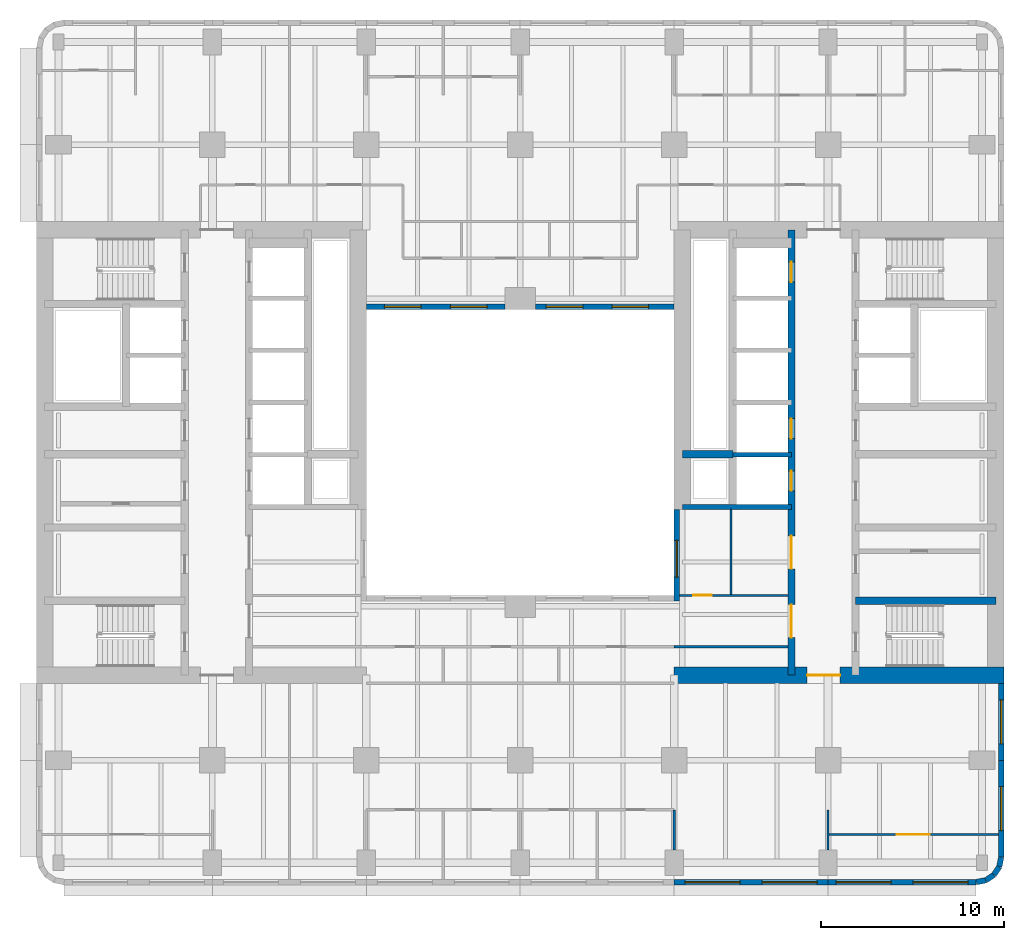
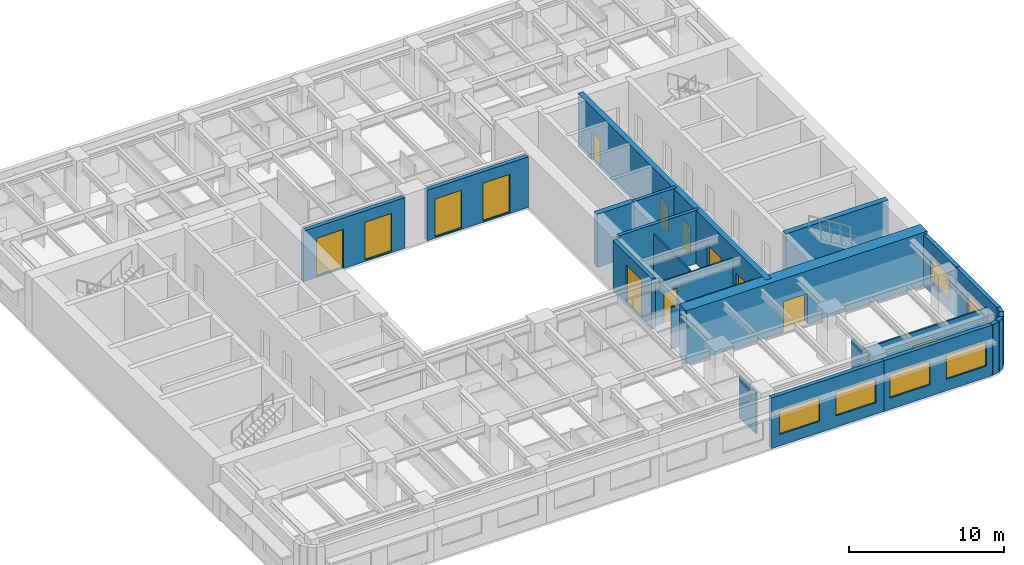
# One storey, part 5 of 11: 23 walls, 11 windows, 8 doors, 19 openings.
"""IFC4 building model written with IfcOpenShell, lengths in metres."""

import ifcopenshell
import ifcopenshell.guid

model = None  # the IFC model being written
_history = None  # IfcOwnerHistory: only IFC2X3 demands one
_inside = {}  # id of a spatial element -> (the spatial element, [elements in it])
_under = {}  # id of a project, library or spatial element -> (it, [spatial elements below it])
_declared = {}  # id of a project -> (the project, [libraries it declares])
_typed = {}  # id of a type object -> (the type object, [elements of that type])
_made_of = {}  # id of a material, layer set ... -> (it, [elements and type objects made of it])


def new_model(schema):
    """Start an empty IFC model of exactly this schema.

    Asked for "IFC4X3", IfcOpenShell would pick the latest addendum, in which some entities
    have other attributes; the version numbers below select the first issue.
    IFC2X3 requires an IfcOwnerHistory on every rooted entity: one is made here for all.
    """
    global model, _history
    if schema == "IFC4X3":
        model = ifcopenshell.file(schema_version=(4, 3, 0, 0))
    else:
        model = ifcopenshell.file(schema=schema)
    _inside.clear()
    _under.clear()
    _declared.clear()
    _typed.clear()
    _made_of.clear()
    _history = None
    if model.schema == "IFC2X3":
        org = make("IfcOrganization", Name="unknown")
        user = make(
            "IfcPersonAndOrganization",
            ThePerson=make("IfcPerson", FamilyName="unknown"),
            TheOrganization=org,
        )
        app = make(
            "IfcApplication",
            ApplicationDeveloper=org,
            Version="unknown",
            ApplicationFullName="unknown",
            ApplicationIdentifier="unknown",
        )
        _history = make(
            "IfcOwnerHistory",
            OwningUser=user,
            OwningApplication=app,
            ChangeAction="ADDED",
            CreationDate=0,
        )
    return model


def make(cls, **values):
    """One entity of the class cls with the attributes given. An attribute that is None is left unset."""
    return model.create_entity(
        cls, **{name: value for name, value in values.items() if value is not None}
    )


def rooted(cls, **values):
    """An entity with a GlobalId (a new one), such as an element, a storey or a relation."""
    return make(cls, GlobalId=ifcopenshell.guid.new(), OwnerHistory=_history, **values)


def si_unit(unit_type, name, prefix=None):
    """IfcSIUnit, for example si_unit("LENGTHUNIT", "METRE", prefix="MILLI")."""
    return make("IfcSIUnit", UnitType=unit_type, Prefix=prefix, Name=name)


def assignment(units):
    """IfcUnitAssignment: the units of a project."""
    return None if units is None else make("IfcUnitAssignment", Units=units)


def point(xyz):
    """IfcCartesianPoint."""
    return None if xyz is None else make("IfcCartesianPoint", Coordinates=xyz)


def direction(xyz):
    """IfcDirection."""
    return None if xyz is None else make("IfcDirection", DirectionRatios=xyz)


def frame(location, z_axis=None, x_axis=None):
    """IfcAxis2Placement3D, a coordinate frame: its origin and axes. An axis left out is left unset."""
    return make(
        "IfcAxis2Placement3D",
        Location=point(location),
        Axis=direction(z_axis),
        RefDirection=direction(x_axis),
    )


def frame_2d(location, x_axis=None):
    """IfcAxis2Placement2D, a coordinate frame in the plane: its origin and x axis."""
    return make(
        "IfcAxis2Placement2D", Location=point(location), RefDirection=direction(x_axis)
    )


def origin():
    """The frame at (0, 0, 0) with its axes left unset."""
    return frame((0.0, 0.0, 0.0))


def place(relative_to, where):
    """IfcLocalPlacement: puts the frame where relative to a parent placement (None: the world)."""
    return make(
        "IfcLocalPlacement", PlacementRelTo=relative_to, RelativePlacement=where
    )


def context(
    kind, dimensions, precision=None, world=None, true_north=None, identifier=None
):
    """IfcGeometricRepresentationContext, for example the 3D "Model" context."""
    return make(
        "IfcGeometricRepresentationContext",
        ContextIdentifier=identifier,
        ContextType=kind,
        CoordinateSpaceDimension=dimensions,
        Precision=precision,
        WorldCoordinateSystem=world,
        TrueNorth=true_north,
    )


def subcontext(parent, identifier, kind, view, scale=None):
    """IfcGeometricRepresentationSubContext, for example "Body" below "Model"."""
    return make(
        "IfcGeometricRepresentationSubContext",
        ContextIdentifier=identifier,
        ContextType=kind,
        ParentContext=parent,
        TargetScale=scale,
        TargetView=view,
    )


def project(units=None, contexts=None):
    """IfcProject with its units and contexts."""
    return rooted(
        "IfcProject",
        Name="project",
        RepresentationContexts=contexts,
        UnitsInContext=assignment(units),
    )


def spatial(cls, under=None, at=None, **own):
    """A site, building, storey or space (cls), placed at a placement, below another one or the project."""
    s = rooted(cls, ObjectPlacement=at, **own)
    if under is not None:
        _under.setdefault(under.id(), (under, []))[1].append(s)
    return s


def profile(cls, at=None, kind="AREA", **sizes):
    """A parametric profile (cls). Its sizes go by their IFC names, for example OverallWidth=200.0."""
    return make(cls, ProfileType=kind, Position=at, **sizes)


def rectangle(**sizes):
    """IfcRectangleProfileDef."""
    return profile("IfcRectangleProfileDef", **sizes)


def extrude(swept, where, along, depth):
    """IfcExtrudedAreaSolid: the profile swept, set in the frame where, extruded along a direction by depth."""
    return make(
        "IfcExtrudedAreaSolid",
        SweptArea=swept,
        Position=where,
        ExtrudedDirection=direction(along),
        Depth=depth,
    )


def shape(context_of_items, identifier, shape_type, items):
    """IfcShapeRepresentation: the items that make up one representation, for example the "Body"."""
    return make(
        "IfcShapeRepresentation",
        ContextOfItems=context_of_items,
        RepresentationIdentifier=identifier,
        RepresentationType=shape_type,
        Items=items,
    )


def material(Name=None, Category=None):
    """IfcMaterial."""
    return make("IfcMaterial", Name=Name, Category=Category)


def layer(
    of_material, thickness, ventilated=None, Name=None, Category=None, Priority=None
):
    """IfcMaterialLayer: one layer of a wall or slab, of a material (None: an air gap)."""
    return make(
        "IfcMaterialLayer",
        Material=of_material,
        LayerThickness=thickness,
        IsVentilated=ventilated,
        Name=Name,
        Category=Category,
        Priority=Priority,
    )


def layer_set(layers, Name=None):
    """IfcMaterialLayerSet."""
    return make("IfcMaterialLayerSet", MaterialLayers=layers, LayerSetName=Name)


def made_of(thing, what):
    """Note that an element or type object is made of a material, layer set ...; save() writes the relation."""
    if what is not None:
        _made_of.setdefault(what.id(), (what, []))[1].append(thing)
    return thing


def type_object(cls, material=None, **own):
    """A type object (cls), such as IfcWallType, which elements share."""
    return made_of(rooted(cls, **own), material)


def element(
    cls,
    number,
    at=None,
    inside=None,
    cuts=None,
    type_object=None,
    material=None,
    context=None,
    identifier="Body",
    shape_type=None,
    held_by="IfcProductDefinitionShape",
    body=None,
    shapes=None,
    **own,
):
    """One element of the class cls, such as IfcWall. Its Tag is "e" and its number.

    at: its placement. inside: the storey or other place that contains it. cuts: it is an
    opening in that element (IfcRelVoidsElement). A single representation is given by context,
    identifier, shape_type and body (its items); several are given by shapes. held_by: the class
    of the entity that holds the representations. save() writes the other relations.
    """
    e = rooted(cls, Tag="e%d" % number, ObjectPlacement=at, **own)
    if body is not None:
        shapes = [shape(context, identifier, shape_type, body)]
    if shapes is not None:
        e.Representation = make(held_by, Representations=shapes)
    if inside is not None:
        _inside.setdefault(inside.id(), (inside, []))[1].append(e)
    if cuts is not None:
        rooted(
            "IfcRelVoidsElement", RelatingBuildingElement=cuts, RelatedOpeningElement=e
        )
    if type_object is not None:
        _typed.setdefault(type_object.id(), (type_object, []))[1].append(e)
    return made_of(e, material)


def fill(opening, filler):
    """IfcRelFillsElement: the door or window that sits in an opening."""
    return rooted(
        "IfcRelFillsElement",
        RelatingOpeningElement=opening,
        RelatedBuildingElement=filler,
    )


def aggregate(whole, parts):
    """IfcRelAggregates: a whole, such as a stair, and the parts it consists of."""
    return rooted("IfcRelAggregates", RelatingObject=whole, RelatedObjects=parts)


def save(model, path):
    """Write the relations noted so far, then the file.

    IfcRelAggregates (storeys below a building ...), IfcRelContainedInSpatialStructure (elements
    in a storey), IfcRelDefinesByType, IfcRelAssociatesMaterial and IfcRelDeclares: one each for
    every whole, place, type object, material and project.
    """
    for whole, parts in _under.values():
        aggregate(whole, parts)
    for where, things in _inside.values():
        rooted(
            "IfcRelContainedInSpatialStructure",
            RelatedElements=things,
            RelatingStructure=where,
        )
    for kind, things in _typed.values():
        rooted("IfcRelDefinesByType", RelatedObjects=things, RelatingType=kind)
    for what, things in _made_of.values():
        rooted("IfcRelAssociatesMaterial", RelatedObjects=things, RelatingMaterial=what)
    for by, libraries in _declared.values():
        rooted("IfcRelDeclares", RelatingContext=by, RelatedDefinitions=libraries)
    model.write(path)


model = new_model("IFC4")

# Units and contexts
model_context = context("Model", 3, precision=1e-05, world=origin(), true_north=direction((0.0, 1.0)))
body_context = subcontext(model_context, "Body", "Model", "MODEL_VIEW")
ifc_project = project(units=[si_unit("LENGTHUNIT", "METRE"), si_unit("AREAUNIT", "SQUARE_METRE"), si_unit("VOLUMEUNIT", "CUBIC_METRE"), si_unit("PLANEANGLEUNIT", "RADIAN"), si_unit("MASSUNIT", "GRAM", prefix="KILO")], contexts=[model_context])

# Site, building, storey
site_placement = place(None, origin())
site = spatial("IfcSite", under=ifc_project, at=site_placement, CompositionType="ELEMENT")
building_placement = place(site_placement, origin())
building = spatial("IfcBuilding", under=site, at=building_placement, Name="Claustro Exchange Tower", CompositionType="ELEMENT")
storey_placement = place(building_placement, frame((0.0, 0.0, 163.800048828125)))
storey = spatial("IfcBuildingStorey", under=building, at=storey_placement, Name="L37", CompositionType="ELEMENT", Elevation=163.800048828125)

# Wall, opening, door
ifc_material_1 = material(Name="Laminated glass in aluminium frame", Category="aluminium")
ifc_layer_1 = layer(ifc_material_1, 0.1201171875)
ifc_layer_set_1 = layer_set([ifc_layer_1], Name="Laminated glass in aluminium frame")
wall_type_1 = type_object("IfcWallType", Name="P2 120 glazed partition", PredefinedType="PARTITIONING", material=ifc_layer_set_1)
wall_1_placement = place(storey_placement, frame((33.89794921875, 17.39990234375, 0.0), z_axis=(0.0, 0.0, 1.0), x_axis=(1.0, 0.0, 0.0)))
wall_1 = element("IfcWall", 1, at=wall_1_placement, inside=storey, type_object=wall_type_1, Name="Partition P2 L37", PredefinedType="PARTITIONING", context=body_context, shape_type="SweptSolid", body=[
    extrude(rectangle(XDim=5.904052734375, YDim=0.1201171875, at=frame_2d((2.9521484375, 0.0))), origin(), (0.0, 0.0, 1.0), 3.300048828125),
])
opening_1_placement = place(wall_1_placement, frame((0.751953125, 0.0, 0.0)))
opening_1 = element("IfcOpeningElement", 2, at=opening_1_placement, cuts=wall_1, Name="Opening D7", PredefinedType="OPENING", context=body_context, shape_type="SweptSolid", body=[
    extrude(rectangle(XDim=1.0, YDim=2.39990234375, at=frame_2d((0.5, 1.199951171875))), frame((0.0, 0.070068359375, 0.0), z_axis=(0.0, -1.0, 0.0), x_axis=(1.0, 0.0, 0.0)), (0.0, 0.0, 1.0), 0.14013671875),
])
ifc_material_2 = material(Name="Glass door in aluminium frame", Category="aluminium")
door_type_1 = type_object("IfcDoorType", Name="D7 1000 x 2400 glazed door", OperationType="SINGLE_SWING_LEFT", PredefinedType="DOOR", material=ifc_material_2)
door_1_placement = place(opening_1_placement, origin())
door_1 = element("IfcDoor", 3, at=door_1_placement, inside=storey, type_object=door_type_1, Name="Door D7 L37", OperationType="SINGLE_SWING_RIGHT", OverallHeight=2.39990234375, OverallWidth=1.0, PredefinedType="DOOR", context=body_context, shape_type="SweptSolid", body=[
    extrude(rectangle(XDim=1.0, YDim=2.39990234375, at=frame_2d((0.5, 1.199951171875))), frame((0.0, 0.02490234375, 0.0), z_axis=(0.0, -1.0, 0.0), x_axis=(1.0, 0.0, 0.0)), (0.0, 0.0, 1.0), 0.050048828125),
])
fill(opening_1, door_1)

# Walls
wall_2_placement = place(storey_placement, frame((36.699951171875, 17.4580078125, 0.0), z_axis=(0.0, 0.0, 1.0), x_axis=(0.0, 1.0, 0.0)))
element("IfcWall", 4, at=wall_2_placement, inside=storey, type_object=wall_type_1, Name="Partition P2 L37", PredefinedType="PARTITIONING", context=body_context, shape_type="SweptSolid", body=[
    extrude(rectangle(XDim=4.64404296875, YDim=0.1201171875, at=frame_2d((2.322021484375, 0.0))), origin(), (0.0, 0.0, 1.0), 3.39990234375),
])
wall_3_placement = place(storey_placement, frame((33.60009765625, 3.4990234375, 0.0), z_axis=(0.0, 0.0, 1.0), x_axis=(0.0, 1.0, 0.0)))
element("IfcWall", 5, at=wall_3_placement, inside=storey, type_object=wall_type_1, Name="Partition P2 L37", PredefinedType="PARTITIONING", context=body_context, shape_type="SweptSolid", body=[
    extrude(rectangle(XDim=2.200927734375, YDim=0.1201171875, at=frame_2d((1.1005859375, 0.0))), origin(), (0.0, 0.0, 1.0), 3.300048828125),
])

# Wall, opening, door
wall_4_placement = place(storey_placement, frame((42.05810546875, 4.35009765625, 0.0), z_axis=(0.0, 0.0, 1.0), x_axis=(1.0, 0.0, 0.0)))
wall_4 = element("IfcWall", 6, at=wall_4_placement, inside=storey, type_object=wall_type_1, Name="Partition P2 L37", PredefinedType="PARTITIONING", context=body_context, shape_type="SweptSolid", body=[
    extrude(rectangle(XDim=9.243896484375, YDim=0.1201171875, at=frame_2d((4.6220703125, 0.0))), origin(), (0.0, 0.0, 1.0), 3.300048828125),
])
opening_2_placement = place(wall_4_placement, frame((3.69189453125, 0.0, 0.0)))
opening_2 = element("IfcOpeningElement", 7, at=opening_2_placement, cuts=wall_4, Name="Opening D2", PredefinedType="OPENING", context=body_context, shape_type="SweptSolid", body=[
    extrude(rectangle(XDim=1.800048828125, YDim=2.199951171875, at=frame_2d((0.89990234375, 1.10009765625))), frame((0.0, 0.070068359375, 0.0), z_axis=(0.0, -1.0, 0.0), x_axis=(1.0, 0.0, 0.0)), (0.0, 0.0, 1.0), 0.14013671875),
])
ifc_material_3 = material(Name="Timber door, oak veneer", Category="wood")
door_type_2 = type_object("IfcDoorType", Name="D2 1800 x 2200 double door", OperationType="DOUBLE_DOOR_SINGLE_SWING", PredefinedType="DOOR", material=ifc_material_3)
door_2_placement = place(opening_2_placement, frame((1.800048828125, 0.0, 0.0), z_axis=(0.0, 0.0, 1.0), x_axis=(-1.0, 0.0, 0.0)))
door_2 = element("IfcDoor", 8, at=door_2_placement, inside=storey, type_object=door_type_2, Name="Double door D2 L37", OperationType="DOUBLE_DOOR_SINGLE_SWING", OverallHeight=2.199951171875, OverallWidth=1.800048828125, PredefinedType="DOOR", context=body_context, shape_type="SweptSolid", body=[
    extrude(rectangle(XDim=1.800048828125, YDim=2.199951171875, at=frame_2d((0.89990234375, 1.10009765625))), frame((0.0, 0.02490234375, 0.0), z_axis=(0.0, -1.0, 0.0), x_axis=(1.0, 0.0, 0.0)), (0.0, 0.0, 1.0), 0.050048828125),
])
fill(opening_2, door_2)

# Walls
wall_5_placement = place(storey_placement, frame((42.0, 3.4990234375, 0.0), z_axis=(0.0, 0.0, 1.0), x_axis=(0.0, 1.0, 0.0)))
element("IfcWall", 9, at=wall_5_placement, inside=storey, type_object=wall_type_1, Name="Partition P2 L37", PredefinedType="PARTITIONING", context=body_context, shape_type="SweptSolid", body=[
    extrude(rectangle(XDim=2.200927734375, YDim=0.1201171875, at=frame_2d((1.1005859375, 0.0))), origin(), (0.0, 0.0, 1.0), 3.300048828125),
])
wall_6_placement = place(storey_placement, frame((33.597900390625, 14.60009765625, 0.0), z_axis=(0.0, 0.0, 1.0), x_axis=(1.0, 0.0, 0.0)))
element("IfcWall", 10, at=wall_6_placement, inside=storey, type_object=wall_type_1, Name="Partition P2 L37", PredefinedType="PARTITIONING", context=body_context, shape_type="SweptSolid", body=[
    extrude(rectangle(XDim=6.2041015625, YDim=0.1201171875, at=frame_2d((3.10205078125, 0.0))), origin(), (0.0, 0.0, 1.0), 3.300048828125),
])

# Wall, openings, windows
ifc_material_4 = material(Name="Concrete HA-40 (C40/50), precast, white cement, acid-etched", Category="concrete")
ifc_layer_2 = layer(ifc_material_4, 0.300048828125)
ifc_layer_set_2 = layer_set([ifc_layer_2], Name="Concrete HA-40 (C40/50), precast, white cement, acid-etched")
wall_type_2 = type_object("IfcWallType", Name="PC1 300 precast concrete pier panel", PredefinedType="SOLIDWALL", material=ifc_layer_set_2)
wall_7_placement = place(storey_placement, frame((50.085205078125, 1.75, 0.0), z_axis=(0.0, 0.0, 1.0), x_axis=(-1.0, 0.0, 0.0)))
wall_7 = element("IfcWall", 11, at=wall_7_placement, inside=storey, type_object=wall_type_2, Name="Precast pier panel PC1 L37", PredefinedType="SOLIDWALL", context=body_context, shape_type="SweptSolid", body=[
    extrude(rectangle(XDim=8.085205078125, YDim=0.300048828125, at=frame_2d((4.04248046875, 0.0))), origin(), (0.0, 0.0, 1.0), 4.0),
])
opening_3_placement = place(wall_7_placement, frame((0.442626953125, 0.0, 0.89990234375)))
opening_3 = element("IfcOpeningElement", 12, at=opening_3_placement, cuts=wall_7, Name="Opening W1", PredefinedType="OPENING", context=body_context, shape_type="SweptSolid", body=[
    extrude(rectangle(XDim=3.0, YDim=1.89990234375, at=frame_2d((1.5, 0.949951171875))), frame((0.0, 0.159912109375, 0.0), z_axis=(0.0, -1.0, 0.0), x_axis=(1.0, 0.0, 0.0)), (0.0, 0.0, 1.0), 0.320068359375),
])
opening_4_placement = place(wall_7_placement, frame((4.642578125, 0.0, 0.89990234375)))
opening_4 = element("IfcOpeningElement", 13, at=opening_4_placement, cuts=wall_7, Name="Opening W1", PredefinedType="OPENING", context=body_context, shape_type="SweptSolid", body=[
    extrude(rectangle(XDim=3.0, YDim=1.89990234375, at=frame_2d((1.5, 0.949951171875))), frame((0.0, 0.159912109375, 0.0), z_axis=(0.0, -1.0, 0.0), x_axis=(1.0, 0.0, 0.0)), (0.0, 0.0, 1.0), 0.320068359375),
])
ifc_material_5 = material(Name="Aluminium frame, clear double glazing", Category="aluminium")
window_type_1 = type_object("IfcWindowType", Name="W1 3000 x 1900 window", PartitioningType="SINGLE_PANEL", PredefinedType="WINDOW", material=ifc_material_5)
window_1_placement = place(opening_3_placement, origin())
window_1 = element("IfcWindow", 14, at=window_1_placement, inside=storey, type_object=window_type_1, Name="Window W1 L37", OverallHeight=1.89990234375, OverallWidth=3.0, PartitioningType="SINGLE_PANEL", PredefinedType="WINDOW", context=body_context, shape_type="SweptSolid", body=[
    extrude(rectangle(XDim=3.0, YDim=1.89990234375, at=frame_2d((1.5, 0.949951171875))), frame((0.0, 0.030029296875, 0.0), z_axis=(0.0, -1.0, 0.0), x_axis=(1.0, 0.0, 0.0)), (0.0, 0.0, 1.0), 0.06005859375),
])
fill(opening_3, window_1)
window_2_placement = place(opening_4_placement, origin())
window_2 = element("IfcWindow", 15, at=window_2_placement, inside=storey, type_object=window_type_1, Name="Window W1 L37", OverallHeight=1.89990234375, OverallWidth=3.0, PartitioningType="SINGLE_PANEL", PredefinedType="WINDOW", context=body_context, shape_type="SweptSolid", body=[
    extrude(rectangle(XDim=3.0, YDim=1.89990234375, at=frame_2d((1.5, 0.949951171875))), frame((0.0, 0.030029296875, 0.0), z_axis=(0.0, -1.0, 0.0), x_axis=(1.0, 0.0, 0.0)), (0.0, 0.0, 1.0), 0.06005859375),
])
fill(opening_4, window_2)

wall_8_placement = place(storey_placement, frame((42.0, 1.75, 0.0), z_axis=(0.0, 0.0, 1.0), x_axis=(-1.0, 0.0, 0.0)))
wall_8 = element("IfcWall", 16, at=wall_8_placement, inside=storey, type_object=wall_type_2, Name="Precast pier panel PC1 L37", PredefinedType="SOLIDWALL", context=body_context, shape_type="SweptSolid", body=[
    extrude(rectangle(XDim=8.39990234375, YDim=0.300048828125, at=frame_2d((4.199951171875, 0.0))), origin(), (0.0, 0.0, 1.0), 4.0),
])
opening_5_placement = place(wall_8_placement, frame((0.60009765625, 0.0, 0.89990234375)))
opening_5 = element("IfcOpeningElement", 17, at=opening_5_placement, cuts=wall_8, Name="Opening W1", PredefinedType="OPENING", context=body_context, shape_type="SweptSolid", body=[
    extrude(rectangle(XDim=3.0, YDim=1.89990234375, at=frame_2d((1.5, 0.949951171875))), frame((0.0, 0.159912109375, 0.0), z_axis=(0.0, -1.0, 0.0), x_axis=(1.0, 0.0, 0.0)), (0.0, 0.0, 1.0), 0.320068359375),
])
opening_6_placement = place(wall_8_placement, frame((4.800048828125, 0.0, 0.89990234375)))
opening_6 = element("IfcOpeningElement", 18, at=opening_6_placement, cuts=wall_8, Name="Opening W1", PredefinedType="OPENING", context=body_context, shape_type="SweptSolid", body=[
    extrude(rectangle(XDim=3.0, YDim=1.89990234375, at=frame_2d((1.5, 0.949951171875))), frame((0.0, 0.159912109375, 0.0), z_axis=(0.0, -1.0, 0.0), x_axis=(1.0, 0.0, 0.0)), (0.0, 0.0, 1.0), 0.320068359375),
])
window_3_placement = place(opening_5_placement, origin())
window_3 = element("IfcWindow", 19, at=window_3_placement, inside=storey, type_object=window_type_1, Name="Window W1 L37", OverallHeight=1.89990234375, OverallWidth=3.0, PartitioningType="SINGLE_PANEL", PredefinedType="WINDOW", context=body_context, shape_type="SweptSolid", body=[
    extrude(rectangle(XDim=3.0, YDim=1.89990234375, at=frame_2d((1.5, 0.949951171875))), frame((0.0, 0.030029296875, 0.0), z_axis=(0.0, -1.0, 0.0), x_axis=(1.0, 0.0, 0.0)), (0.0, 0.0, 1.0), 0.06005859375),
])
fill(opening_5, window_3)
window_4_placement = place(opening_6_placement, origin())
window_4 = element("IfcWindow", 20, at=window_4_placement, inside=storey, type_object=window_type_1, Name="Window W1 L37", OverallHeight=1.89990234375, OverallWidth=3.0, PartitioningType="SINGLE_PANEL", PredefinedType="WINDOW", context=body_context, shape_type="SweptSolid", body=[
    extrude(rectangle(XDim=3.0, YDim=1.89990234375, at=frame_2d((1.5, 0.949951171875))), frame((0.0, 0.030029296875, 0.0), z_axis=(0.0, -1.0, 0.0), x_axis=(1.0, 0.0, 0.0)), (0.0, 0.0, 1.0), 0.06005859375),
])
fill(opening_6, window_4)

# Wall, opening, window
wall_9_placement = place(storey_placement, frame((51.449951171875, 12.60009765625, 0.0), z_axis=(0.0, 0.0, 1.0), x_axis=(0.0, -1.0, 0.0)))
wall_9 = element("IfcWall", 21, at=wall_9_placement, inside=storey, type_object=wall_type_2, Name="Precast pier panel PC1 L37", PredefinedType="SOLIDWALL", context=body_context, shape_type="SweptSolid", body=[
    extrude(rectangle(XDim=4.2001953125, YDim=0.300048828125, at=frame_2d((2.10009765625, 0.0))), origin(), (0.0, 0.0, 1.0), 4.0),
])
opening_7_placement = place(wall_9_placement, frame((0.89990234375, 0.0, 0.89990234375)))
opening_7 = element("IfcOpeningElement", 22, at=opening_7_placement, cuts=wall_9, Name="Opening W2", PredefinedType="OPENING", context=body_context, shape_type="SweptSolid", body=[
    extrude(rectangle(XDim=2.39990234375, YDim=1.89990234375, at=frame_2d((1.199951171875, 0.949951171875))), frame((0.0, 0.159912109375, 0.0), z_axis=(0.0, -1.0, 0.0), x_axis=(1.0, 0.0, 0.0)), (0.0, 0.0, 1.0), 0.320068359375),
])
ifc_material_6 = material(Name="Aluminium frame, clear double glazing", Category="aluminium")
window_type_2 = type_object("IfcWindowType", Name="W2 2400 x 1900 window", PartitioningType="SINGLE_PANEL", PredefinedType="WINDOW", material=ifc_material_6)
window_5_placement = place(opening_7_placement, origin())
window_5 = element("IfcWindow", 23, at=window_5_placement, inside=storey, type_object=window_type_2, Name="Window W2 L37", OverallHeight=1.89990234375, OverallWidth=2.39990234375, PartitioningType="SINGLE_PANEL", PredefinedType="WINDOW", context=body_context, shape_type="SweptSolid", body=[
    extrude(rectangle(XDim=2.39990234375, YDim=1.89990234375, at=frame_2d((1.199951171875, 0.949951171875))), frame((0.0, 0.030029296875, 0.0), z_axis=(0.0, -1.0, 0.0), x_axis=(1.0, 0.0, 0.0)), (0.0, 0.0, 1.0), 0.06005859375),
])
fill(opening_7, window_5)

wall_10_placement = place(storey_placement, frame((51.449951171875, 8.39990234375, 0.0), z_axis=(0.0, 0.0, 1.0), x_axis=(0.0, -1.0, 0.0)))
wall_10 = element("IfcWall", 24, at=wall_10_placement, inside=storey, type_object=wall_type_2, Name="Precast pier panel PC1 L37", PredefinedType="SOLIDWALL", context=body_context, shape_type="SweptSolid", body=[
    extrude(rectangle(XDim=5.28515625, YDim=0.300048828125, at=frame_2d((2.642578125, 0.0))), origin(), (0.0, 0.0, 1.0), 4.0),
])
opening_8_placement = place(wall_10_placement, frame((1.442626953125, 0.0, 0.89990234375)))
opening_8 = element("IfcOpeningElement", 25, at=opening_8_placement, cuts=wall_10, Name="Opening W2", PredefinedType="OPENING", context=body_context, shape_type="SweptSolid", body=[
    extrude(rectangle(XDim=2.39990234375, YDim=1.89990234375, at=frame_2d((1.199951171875, 0.949951171875))), frame((0.0, 0.159912109375, 0.0), z_axis=(0.0, -1.0, 0.0), x_axis=(1.0, 0.0, 0.0)), (0.0, 0.0, 1.0), 0.320068359375),
])
window_6_placement = place(opening_8_placement, origin())
window_6 = element("IfcWindow", 26, at=window_6_placement, inside=storey, type_object=window_type_2, Name="Window W2 L37", OverallHeight=1.89990234375, OverallWidth=2.39990234375, PartitioningType="SINGLE_PANEL", PredefinedType="WINDOW", context=body_context, shape_type="SweptSolid", body=[
    extrude(rectangle(XDim=2.39990234375, YDim=1.89990234375, at=frame_2d((1.199951171875, 0.949951171875))), frame((0.0, 0.030029296875, 0.0), z_axis=(0.0, -1.0, 0.0), x_axis=(1.0, 0.0, 0.0)), (0.0, 0.0, 1.0), 0.06005859375),
])
fill(opening_8, window_6)

# Walls
wall_11_placement = place(storey_placement, frame((51.449951171875, 3.11474609375, 0.0), z_axis=(0.0, 0.0, 1.0), x_axis=(-0.195073962632, -0.980788534345, 0.0)))
element("IfcWall", 27, at=wall_11_placement, inside=storey, type_object=wall_type_2, Name="Precast pier panel PC1 L37", PredefinedType="SOLIDWALL", context=body_context, shape_type="SweptSolid", body=[
    extrude(rectangle(XDim=0.540771484375, YDim=0.300048828125, at=frame_2d((0.2705078125, 0.0))), origin(), (0.0, 0.0, 1.0), 4.0),
])
for number, where, z_axis, x_axis, name in (
    (28, (51.344482421875, 2.58447265625, 0.0), (0.0, 0.0, 1.0), (-0.555557463938, -0.831478144188, 0.0), "Precast pier panel PC1 L37"),
    (29, (51.052490234375, 2.1474609375, 0.0), (0.0, 0.0, 1.0), (-0.831478144188, -0.555557463938, 0.0), "Precast pier panel PC1 L37"),
):
    element("IfcWall", number, at=place(storey_placement, frame(where, z_axis=z_axis, x_axis=x_axis)), inside=storey, type_object=wall_type_2, Name=name, PredefinedType="SOLIDWALL", context=body_context, shape_type="SweptSolid", body=[
        extrude(rectangle(XDim=0.525634765625, YDim=0.300048828125, at=frame_2d((0.2626953125, 0.0))), origin(), (0.0, 0.0, 1.0), 4.0),
    ])
wall_12_placement = place(storey_placement, frame((50.615478515625, 1.85546875, 0.0), z_axis=(0.0, 0.0, 1.0), x_axis=(-0.980788534345, -0.195073962632, 0.0)))
element("IfcWall", 30, at=wall_12_placement, inside=storey, type_object=wall_type_2, Name="Precast pier panel PC1 L37", PredefinedType="SOLIDWALL", context=body_context, shape_type="SweptSolid", body=[
    extrude(rectangle(XDim=0.540771484375, YDim=0.300048828125, at=frame_2d((0.2705078125, 0.0))), origin(), (0.0, 0.0, 1.0), 4.0),
])

# Wall, opening, window
wall_13_placement = place(storey_placement, frame((33.75, 17.10009765625, 0.0), z_axis=(0.0, 0.0, 1.0), x_axis=(0.0, 1.0, 0.0)))
wall_13 = element("IfcWall", 31, at=wall_13_placement, inside=storey, type_object=wall_type_2, Name="Precast pier panel PC1 L37", PredefinedType="SOLIDWALL", context=body_context, shape_type="SweptSolid", body=[
    extrude(rectangle(XDim=5.0, YDim=0.300048828125, at=frame_2d((2.5, 0.0))), origin(), (0.0, 0.0, 1.0), 4.0),
])
opening_9_placement = place(wall_13_placement, frame((1.300048828125, 0.0, 0.10009765625)))
opening_9 = element("IfcOpeningElement", 32, at=opening_9_placement, cuts=wall_13, Name="Opening W-A", PredefinedType="OPENING", context=body_context, shape_type="SweptSolid", body=[
    extrude(rectangle(XDim=2.0, YDim=3.0, at=frame_2d((1.0, 1.5))), frame((0.0, 0.159912109375, 0.0), z_axis=(0.0, -1.0, 0.0), x_axis=(1.0, 0.0, 0.0)), (0.0, 0.0, 1.0), 0.320068359375),
])
ifc_material_7 = material(Name="Aluminium frame, clear double glazing", Category="aluminium")
window_type_3 = type_object("IfcWindowType", Name="W-A 2000 x 3000 arcade window", PartitioningType="SINGLE_PANEL", PredefinedType="WINDOW", material=ifc_material_7)
window_7_placement = place(opening_9_placement, origin())
window_7 = element("IfcWindow", 33, at=window_7_placement, inside=storey, type_object=window_type_3, Name="Window W-A L37", OverallHeight=3.0, OverallWidth=2.0, PartitioningType="SINGLE_PANEL", PredefinedType="WINDOW", context=body_context, shape_type="SweptSolid", body=[
    extrude(rectangle(XDim=2.0, YDim=3.0, at=frame_2d((1.0, 1.5))), frame((0.0, 0.030029296875, 0.0), z_axis=(0.0, -1.0, 0.0), x_axis=(1.0, 0.0, 0.0)), (0.0, 0.0, 1.0), 0.06005859375),
])
fill(opening_9, window_7)

# Wall, openings, windows
wall_14_placement = place(storey_placement, frame((16.800048828125, 33.14990234375, 0.0), z_axis=(0.0, 0.0, 1.0), x_axis=(1.0, 0.0, 0.0)))
wall_14 = element("IfcWall", 34, at=wall_14_placement, inside=storey, type_object=wall_type_2, Name="Precast pier panel PC1 L37", PredefinedType="SOLIDWALL", context=body_context, shape_type="SweptSolid", body=[
    extrude(rectangle(XDim=7.574951171875, YDim=0.300048828125, at=frame_2d((3.78759765625, 0.0))), origin(), (0.0, 0.0, 1.0), 4.0),
])
opening_10_placement = place(wall_14_placement, frame((0.987548828125, 0.0, 0.10009765625)))
opening_10 = element("IfcOpeningElement", 35, at=opening_10_placement, cuts=wall_14, Name="Opening W-A", PredefinedType="OPENING", context=body_context, shape_type="SweptSolid", body=[
    extrude(rectangle(XDim=2.0, YDim=3.0, at=frame_2d((1.0, 1.5))), frame((0.0, 0.159912109375, 0.0), z_axis=(0.0, -1.0, 0.0), x_axis=(1.0, 0.0, 0.0)), (0.0, 0.0, 1.0), 0.320068359375),
])
opening_11_placement = place(wall_14_placement, frame((4.58740234375, 0.0, 0.10009765625)))
opening_11 = element("IfcOpeningElement", 36, at=opening_11_placement, cuts=wall_14, Name="Opening W-A", PredefinedType="OPENING", context=body_context, shape_type="SweptSolid", body=[
    extrude(rectangle(XDim=2.0, YDim=3.0, at=frame_2d((1.0, 1.5))), frame((0.0, 0.159912109375, 0.0), z_axis=(0.0, -1.0, 0.0), x_axis=(1.0, 0.0, 0.0)), (0.0, 0.0, 1.0), 0.320068359375),
])
window_8_placement = place(opening_10_placement, origin())
window_8 = element("IfcWindow", 37, at=window_8_placement, inside=storey, type_object=window_type_3, Name="Window W-A L37", OverallHeight=3.0, OverallWidth=2.0, PartitioningType="SINGLE_PANEL", PredefinedType="WINDOW", context=body_context, shape_type="SweptSolid", body=[
    extrude(rectangle(XDim=2.0, YDim=3.0, at=frame_2d((1.0, 1.5))), frame((0.0, 0.030029296875, 0.0), z_axis=(0.0, -1.0, 0.0), x_axis=(1.0, 0.0, 0.0)), (0.0, 0.0, 1.0), 0.06005859375),
])
fill(opening_10, window_8)
window_9_placement = place(opening_11_placement, origin())
window_9 = element("IfcWindow", 38, at=window_9_placement, inside=storey, type_object=window_type_3, Name="Window W-A L37", OverallHeight=3.0, OverallWidth=2.0, PartitioningType="SINGLE_PANEL", PredefinedType="WINDOW", context=body_context, shape_type="SweptSolid", body=[
    extrude(rectangle(XDim=2.0, YDim=3.0, at=frame_2d((1.0, 1.5))), frame((0.0, 0.030029296875, 0.0), z_axis=(0.0, -1.0, 0.0), x_axis=(1.0, 0.0, 0.0)), (0.0, 0.0, 1.0), 0.06005859375),
])
fill(opening_11, window_9)

wall_15_placement = place(storey_placement, frame((26.02490234375, 33.14990234375, 0.0), z_axis=(0.0, 0.0, 1.0), x_axis=(1.0, 0.0, 0.0)))
wall_15 = element("IfcWall", 39, at=wall_15_placement, inside=storey, type_object=wall_type_2, Name="Precast pier panel PC1 L37", PredefinedType="SOLIDWALL", context=body_context, shape_type="SweptSolid", body=[
    extrude(rectangle(XDim=7.5751953125, YDim=0.300048828125, at=frame_2d((3.78759765625, 0.0))), origin(), (0.0, 0.0, 1.0), 4.0),
])
opening_12_placement = place(wall_15_placement, frame((0.58740234375, 0.0, 0.10009765625)))
opening_12 = element("IfcOpeningElement", 40, at=opening_12_placement, cuts=wall_15, Name="Opening W-A", PredefinedType="OPENING", context=body_context, shape_type="SweptSolid", body=[
    extrude(rectangle(XDim=2.0, YDim=3.0, at=frame_2d((1.0, 1.5))), frame((0.0, 0.159912109375, 0.0), z_axis=(0.0, -1.0, 0.0), x_axis=(1.0, 0.0, 0.0)), (0.0, 0.0, 1.0), 0.320068359375),
])
opening_13_placement = place(wall_15_placement, frame((4.1875, 0.0, 0.10009765625)))
opening_13 = element("IfcOpeningElement", 41, at=opening_13_placement, cuts=wall_15, Name="Opening W-A", PredefinedType="OPENING", context=body_context, shape_type="SweptSolid", body=[
    extrude(rectangle(XDim=2.0, YDim=3.0, at=frame_2d((1.0, 1.5))), frame((0.0, 0.159912109375, 0.0), z_axis=(0.0, -1.0, 0.0), x_axis=(1.0, 0.0, 0.0)), (0.0, 0.0, 1.0), 0.320068359375),
])
window_10_placement = place(opening_12_placement, origin())
window_10 = element("IfcWindow", 42, at=window_10_placement, inside=storey, type_object=window_type_3, Name="Window W-A L37", OverallHeight=3.0, OverallWidth=2.0, PartitioningType="SINGLE_PANEL", PredefinedType="WINDOW", context=body_context, shape_type="SweptSolid", body=[
    extrude(rectangle(XDim=2.0, YDim=3.0, at=frame_2d((1.0, 1.5))), frame((0.0, 0.030029296875, 0.0), z_axis=(0.0, -1.0, 0.0), x_axis=(1.0, 0.0, 0.0)), (0.0, 0.0, 1.0), 0.06005859375),
])
fill(opening_12, window_10)
window_11_placement = place(opening_13_placement, origin())
window_11 = element("IfcWindow", 43, at=window_11_placement, inside=storey, type_object=window_type_3, Name="Window W-A L37", OverallHeight=3.0, OverallWidth=2.0, PartitioningType="SINGLE_PANEL", PredefinedType="WINDOW", context=body_context, shape_type="SweptSolid", body=[
    extrude(rectangle(XDim=2.0, YDim=3.0, at=frame_2d((1.0, 1.5))), frame((0.0, 0.030029296875, 0.0), z_axis=(0.0, -1.0, 0.0), x_axis=(1.0, 0.0, 0.0)), (0.0, 0.0, 1.0), 0.06005859375),
])
fill(opening_13, window_11)

# Wall, opening, door
ifc_material_8 = material(Name="Concrete HA-70 (C70/85)", Category="concrete")
ifc_layer_3 = layer(ifc_material_8, 0.89990234375)
ifc_layer_set_3 = layer_set([ifc_layer_3], Name="Concrete HA-70 (C70/85)")
wall_type_3 = type_object("IfcWallType", Name="SW1 900 core shear wall", PredefinedType="SHEAR", material=ifc_layer_set_3)
wall_16_placement = place(storey_placement, frame((33.60009765625, 13.050048828125, 0.0), z_axis=(0.0, 0.0, 1.0), x_axis=(1.0, 0.0, 0.0)))
wall_16 = element("IfcWall", 44, at=wall_16_placement, inside=storey, type_object=wall_type_3, Name="Core wall SW1 E core S face L37", PredefinedType="SHEAR", context=body_context, shape_type="SweptSolid", body=[
    extrude(rectangle(XDim=18.0, YDim=0.89990234375, at=frame_2d((9.0, 0.0))), origin(), (0.0, 0.0, 1.0), 4.199951171875),
])
opening_14_placement = place(wall_16_placement, frame((7.25, 0.0, 0.0)))
opening_14 = element("IfcOpeningElement", 45, at=opening_14_placement, cuts=wall_16, Name="Opening D3", PredefinedType="OPENING", context=body_context, shape_type="SweptSolid", body=[
    extrude(rectangle(XDim=1.800048828125, YDim=2.39990234375, at=frame_2d((0.89990234375, 1.199951171875))), frame((0.0, 0.4599609375, 0.0), z_axis=(0.0, -1.0, 0.0), x_axis=(1.0, 0.0, 0.0)), (0.0, 0.0, 1.0), 0.919921875),
])
ifc_material_9 = material(Name="Steel fire door, painted", Category="steel")
door_type_3 = type_object("IfcDoorType", Name="D3 1800 x 2400 fire-rated lobby double door", OperationType="DOUBLE_DOOR_SINGLE_SWING", PredefinedType="DOOR", material=ifc_material_9)
door_3_placement = place(opening_14_placement, frame((1.800048828125, 0.0, 0.0), z_axis=(0.0, 0.0, 1.0), x_axis=(-1.0, 0.0, 0.0)))
door_3 = element("IfcDoor", 46, at=door_3_placement, inside=storey, type_object=door_type_3, Name="Lift lobby door D3 L37", OperationType="DOUBLE_DOOR_SINGLE_SWING", OverallHeight=2.39990234375, OverallWidth=1.800048828125, PredefinedType="DOOR", context=body_context, shape_type="SweptSolid", body=[
    extrude(rectangle(XDim=1.800048828125, YDim=2.39990234375, at=frame_2d((0.89990234375, 1.199951171875))), frame((0.0, 0.02490234375, 0.0), z_axis=(0.0, -1.0, 0.0), x_axis=(1.0, 0.0, 0.0)), (0.0, 0.0, 1.0), 0.050048828125),
])
fill(opening_14, door_3)

# Wall, openings, doors
ifc_material_10 = material(Name="Concrete HA-50 (C50/60)", Category="concrete")
ifc_layer_4 = layer(ifc_material_10, 0.39990234375)
ifc_layer_set_4 = layer_set([ifc_layer_4], Name="Concrete HA-50 (C50/60)")
wall_type_4 = type_object("IfcWallType", Name="SW4 400 internal core wall", PredefinedType="SHEAR", material=ifc_layer_set_4)
wall_17_placement = place(storey_placement, frame((40.0, 13.050048828125, 0.0), z_axis=(0.0, 0.0, 1.0), x_axis=(0.0, 1.0, 0.0)))
wall_17 = element("IfcWall", 47, at=wall_17_placement, inside=storey, type_object=wall_type_4, Name="Internal core wall SW4 E core L37", PredefinedType="SHEAR", context=body_context, shape_type="SweptSolid", body=[
    extrude(rectangle(XDim=24.300048828125, YDim=0.39990234375, at=frame_2d((12.14990234375, 0.0))), origin(), (0.0, 0.0, 1.0), 4.199951171875),
])
opening_15_placement = place(wall_17_placement, frame((10.050048828125, 0.0, 0.0)))
opening_15 = element("IfcOpeningElement", 48, at=opening_15_placement, cuts=wall_17, Name="Opening LD", PredefinedType="OPENING", context=body_context, shape_type="SweptSolid", body=[
    extrude(rectangle(XDim=1.10009765625, YDim=2.199951171875, at=frame_2d((0.550048828125, 1.10009765625))), frame((0.0, 0.2099609375, 0.0), z_axis=(0.0, -1.0, 0.0), x_axis=(1.0, 0.0, 0.0)), (0.0, 0.0, 1.0), 0.419921875),
])
opening_16_placement = place(wall_17_placement, frame((12.89990234375, 0.0, 0.0)))
opening_16 = element("IfcOpeningElement", 49, at=opening_16_placement, cuts=wall_17, Name="Opening LD", PredefinedType="OPENING", context=body_context, shape_type="SweptSolid", body=[
    extrude(rectangle(XDim=1.10009765625, YDim=2.199951171875, at=frame_2d((0.550048828125, 1.10009765625))), frame((0.0, 0.2099609375, 0.0), z_axis=(0.0, -1.0, 0.0), x_axis=(1.0, 0.0, 0.0)), (0.0, 0.0, 1.0), 0.419921875),
])
opening_17_placement = place(wall_17_placement, frame((21.449951171875, 0.0, 0.0)))
opening_17 = element("IfcOpeningElement", 50, at=opening_17_placement, cuts=wall_17, Name="Opening LD", PredefinedType="OPENING", context=body_context, shape_type="SweptSolid", body=[
    extrude(rectangle(XDim=1.10009765625, YDim=2.199951171875, at=frame_2d((0.550048828125, 1.10009765625))), frame((0.0, 0.2099609375, 0.0), z_axis=(0.0, -1.0, 0.0), x_axis=(1.0, 0.0, 0.0)), (0.0, 0.0, 1.0), 0.419921875),
])
opening_18_placement = place(wall_17_placement, frame((2.050048828125, 0.0, 0.0)))
opening_18 = element("IfcOpeningElement", 51, at=opening_18_placement, cuts=wall_17, Name="Opening D3", PredefinedType="OPENING", context=body_context, shape_type="SweptSolid", body=[
    extrude(rectangle(XDim=1.800048828125, YDim=2.39990234375, at=frame_2d((0.89990234375, 1.199951171875))), frame((0.0, 0.2099609375, 0.0), z_axis=(0.0, -1.0, 0.0), x_axis=(1.0, 0.0, 0.0)), (0.0, 0.0, 1.0), 0.419921875),
])
opening_19_placement = place(wall_17_placement, frame((5.800048828125, 0.0, 0.0)))
opening_19 = element("IfcOpeningElement", 52, at=opening_19_placement, cuts=wall_17, Name="Opening D3", PredefinedType="OPENING", context=body_context, shape_type="SweptSolid", body=[
    extrude(rectangle(XDim=1.800048828125, YDim=2.39990234375, at=frame_2d((0.89990234375, 1.199951171875))), frame((0.0, 0.2099609375, 0.0), z_axis=(0.0, -1.0, 0.0), x_axis=(1.0, 0.0, 0.0)), (0.0, 0.0, 1.0), 0.419921875),
])
door_4_placement = place(opening_18_placement, frame((1.800048828125, 0.0, 0.0), z_axis=(0.0, 0.0, 1.0), x_axis=(-1.0, 0.0, 0.0)))
door_4 = element("IfcDoor", 53, at=door_4_placement, inside=storey, type_object=door_type_3, Name="Core zone door D3 L37", OperationType="DOUBLE_DOOR_SINGLE_SWING", OverallHeight=2.39990234375, OverallWidth=1.800048828125, PredefinedType="DOOR", context=body_context, shape_type="SweptSolid", body=[
    extrude(rectangle(XDim=1.800048828125, YDim=2.39990234375, at=frame_2d((0.89990234375, 1.199951171875))), frame((0.0, 0.02490234375, 0.0), z_axis=(0.0, -1.0, 0.0), x_axis=(1.0, 0.0, 0.0)), (0.0, 0.0, 1.0), 0.050048828125),
])
fill(opening_18, door_4)
door_5_placement = place(opening_19_placement, origin())
door_5 = element("IfcDoor", 54, at=door_5_placement, inside=storey, type_object=door_type_3, Name="Core zone door D3 L37", OperationType="DOUBLE_DOOR_SINGLE_SWING", OverallHeight=2.39990234375, OverallWidth=1.800048828125, PredefinedType="DOOR", context=body_context, shape_type="SweptSolid", body=[
    extrude(rectangle(XDim=1.800048828125, YDim=2.39990234375, at=frame_2d((0.89990234375, 1.199951171875))), frame((0.0, 0.02490234375, 0.0), z_axis=(0.0, -1.0, 0.0), x_axis=(1.0, 0.0, 0.0)), (0.0, 0.0, 1.0), 0.050048828125),
])
fill(opening_19, door_5)
ifc_material_11 = material(Name="Stainless steel sliding door", Category="steel")
door_type_4 = type_object("IfcDoorType", Name="LD 1100 x 2200 lift landing door", OperationType="DOUBLE_DOOR_SLIDING", PredefinedType="DOOR", material=ifc_material_11)
door_6_placement = place(opening_15_placement, origin())
door_6 = element("IfcDoor", 55, at=door_6_placement, inside=storey, type_object=door_type_4, Name="Lift landing door LME1 LD L37", OperationType="DOUBLE_DOOR_SLIDING", OverallHeight=2.199951171875, OverallWidth=1.10009765625, PredefinedType="DOOR", context=body_context, shape_type="SweptSolid", body=[
    extrude(rectangle(XDim=1.10009765625, YDim=2.199951171875, at=frame_2d((0.550048828125, 1.10009765625))), frame((0.0, 0.02490234375, 0.0), z_axis=(0.0, -1.0, 0.0), x_axis=(1.0, 0.0, 0.0)), (0.0, 0.0, 1.0), 0.050048828125),
])
fill(opening_15, door_6)
door_7_placement = place(opening_16_placement, origin())
door_7 = element("IfcDoor", 56, at=door_7_placement, inside=storey, type_object=door_type_4, Name="Lift landing door LME2 LD L37", OperationType="DOUBLE_DOOR_SLIDING", OverallHeight=2.199951171875, OverallWidth=1.10009765625, PredefinedType="DOOR", context=body_context, shape_type="SweptSolid", body=[
    extrude(rectangle(XDim=1.10009765625, YDim=2.199951171875, at=frame_2d((0.550048828125, 1.10009765625))), frame((0.0, 0.02490234375, 0.0), z_axis=(0.0, -1.0, 0.0), x_axis=(1.0, 0.0, 0.0)), (0.0, 0.0, 1.0), 0.050048828125),
])
fill(opening_16, door_7)
door_8_placement = place(opening_17_placement, origin())
door_8 = element("IfcDoor", 57, at=door_8_placement, inside=storey, type_object=door_type_4, Name="Lift landing door LSE1 LD L37", OperationType="DOUBLE_DOOR_SLIDING", OverallHeight=2.199951171875, OverallWidth=1.10009765625, PredefinedType="DOOR", context=body_context, shape_type="SweptSolid", body=[
    extrude(rectangle(XDim=1.10009765625, YDim=2.199951171875, at=frame_2d((0.550048828125, 1.10009765625))), frame((0.0, 0.02490234375, 0.0), z_axis=(0.0, -1.0, 0.0), x_axis=(1.0, 0.0, 0.0)), (0.0, 0.0, 1.0), 0.050048828125),
])
fill(opening_17, door_8)

# Walls
wall_18_placement = place(storey_placement, frame((51.14990234375, 17.10009765625, 0.0), z_axis=(0.0, 0.0, 1.0), x_axis=(-1.0, 0.0, 0.0)))
element("IfcWall", 58, at=wall_18_placement, inside=storey, type_object=wall_type_4, Name="Internal core wall SW4 E core L37", PredefinedType="SHEAR", context=body_context, shape_type="SweptSolid", body=[
    extrude(rectangle(XDim=7.64990234375, YDim=0.39990234375, at=frame_2d((3.824951171875, 0.0))), origin(), (0.0, 0.0, 1.0), 4.199951171875),
])
wall_19_placement = place(storey_placement, frame((36.800048828125, 25.10009765625, 0.0), z_axis=(0.0, 0.0, 1.0), x_axis=(-1.0, 0.0, 0.0)))
element("IfcWall", 59, at=wall_19_placement, inside=storey, type_object=wall_type_4, Name="Internal core wall SW4 E core L37", PredefinedType="SHEAR", context=body_context, shape_type="SweptSolid", body=[
    extrude(rectangle(XDim=2.75, YDim=0.39990234375, at=frame_2d((1.375, 0.0))), origin(), (0.0, 0.0, 1.0), 4.199951171875),
])
ifc_material_12 = material(Name="Concrete HA-50 (C50/60)", Category="concrete")
ifc_layer_5 = layer(ifc_material_12, 0.25)
ifc_layer_set_5 = layer_set([ifc_layer_5], Name="Concrete HA-50 (C50/60)")
wall_type_5 = type_object("IfcWallType", Name="SW5 250 lift shaft divider wall", PredefinedType="SHEAR", material=ifc_layer_set_5)
wall_20_placement = place(storey_placement, frame((40.0, 22.22509765625, 0.0), z_axis=(0.0, 0.0, 1.0), x_axis=(-1.0, 0.0, 0.0)))
element("IfcWall", 60, at=wall_20_placement, inside=storey, type_object=wall_type_5, Name="Core step wall E core L37", PredefinedType="SHEAR", context=body_context, shape_type="SweptSolid", body=[
    extrude(rectangle(XDim=5.949951171875, YDim=0.25, at=frame_2d((2.97509765625, 0.0))), origin(), (0.0, 0.0, 1.0), 4.199951171875),
])
wall_21_placement = place(storey_placement, frame((40.0, 25.074951171875, 0.0), z_axis=(0.0, 0.0, 1.0), x_axis=(-1.0, 0.0, 0.0)))
element("IfcWall", 61, at=wall_21_placement, inside=storey, type_object=wall_type_5, Name="Lift shaft wall E core L37", PredefinedType="SHEAR", context=body_context, shape_type="SweptSolid", body=[
    extrude(rectangle(XDim=3.199951171875, YDim=0.25, at=frame_2d((1.60009765625, 0.0))), origin(), (0.0, 0.0, 1.0), 4.199951171875),
])

save(model, "model.ifc")
